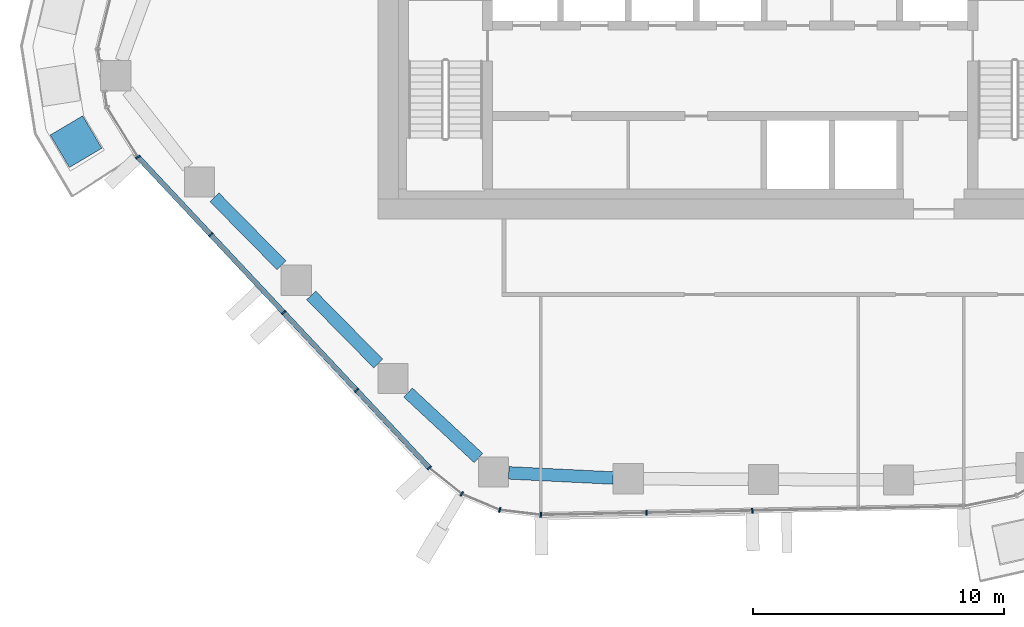
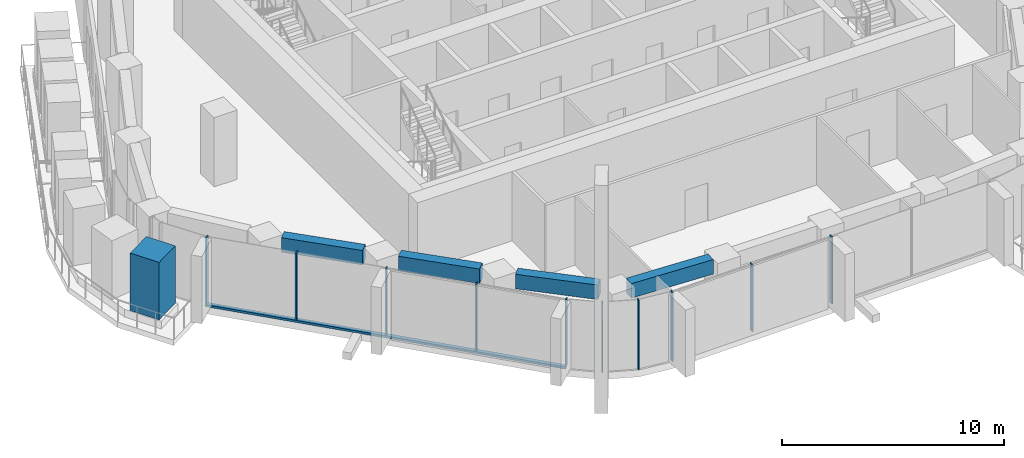
# One storey, part 2 of 18: 12 members, 4 beams, 4 elements without a shape of their own.
"""IFC4 building model written with IfcOpenShell, lengths in metres."""

from ifc_helpers import new_model, si_unit, direction, frame, origin, origin_2d, place, context, subcontext, project, spatial, rectangle, extrude, material, layer, layer_set, material_profile, profile_set, type_object, element, aggregate, save


model = new_model("IFC4")

# Units and contexts
model_context = context("Model", 3, precision=1e-05, world=origin(), true_north=direction((0.0, 1.0)))
body_context = subcontext(model_context, "Body", "Model", "MODEL_VIEW")
ifc_project = project(units=[si_unit("LENGTHUNIT", "METRE"), si_unit("AREAUNIT", "SQUARE_METRE"), si_unit("VOLUMEUNIT", "CUBIC_METRE"), si_unit("PLANEANGLEUNIT", "RADIAN"), si_unit("MASSUNIT", "GRAM", prefix="KILO")], contexts=[model_context])

# Site, building, storey
site_placement = place(None, origin())
site = spatial("IfcSite", under=ifc_project, at=site_placement, CompositionType="ELEMENT")
building_placement = place(site_placement, origin())
building = spatial("IfcBuilding", under=site, at=building_placement, Name="Dongbaek Canopy Tower", CompositionType="ELEMENT")
storey_placement = place(building_placement, frame((0.0, 0.0, 158.60009765625)))
storey = spatial("IfcBuildingStorey", under=building, at=storey_placement, Name="L34", CompositionType="ELEMENT", Elevation=158.60009765625)

# Curtain wall, member
ifc_material_1 = material(Name="Aluminium 6063-T6 pale anodised", Category="aluminium")
ifc_layer = layer(ifc_material_1, 0.199951171875)
ifc_layer_set = layer_set([ifc_layer], Name="CW-1 unitised tower curtain wall")
curtain_wall_type = type_object("IfcCurtainWallType", Name="CW-1 unitised tower curtain wall", PredefinedType="NOTDEFINED", material=ifc_layer_set)
curtain_wall_1_placement = place(storey_placement, origin())
curtain_wall_1 = element("IfcCurtainWall", 1, at=curtain_wall_1_placement, inside=storey, type_object=curtain_wall_type, Name="CW-1 curtain wall K3.1b", PredefinedType="NOTDEFINED")
ifc_material_2 = material(Name="Aluminium 6063-T6 pale anodised", Category="aluminium")
ifc_material_profile_1 = material_profile(ifc_material_2, rectangle(XDim=0.199951171875, YDim=0.06005859375, at=origin_2d()), Name="CW-1 mullion 60 x 200")
ifc_profile_set_1 = profile_set([ifc_material_profile_1], Name="Aluminium 6063-T6 pale anodised")
member_type_1 = type_object("IfcMemberType", Name="CW-1 mullion 60 x 200", PredefinedType="MULLION", material=ifc_profile_set_1)
member_1_placement = place(storey_placement, frame((-23.55322265625, -8.528076171875, 0.0), z_axis=(0.0, 0.0, 1.0), x_axis=(-0.850370444483, -0.526184480148, 0.0)))
member_1 = element("IfcMember", 2, at=member_1_placement, type_object=member_type_1, Name="CW-1 mullion K3.1b.3", PredefinedType="MULLION", context=body_context, shape_type="SweptSolid", body=[
    extrude(rectangle(XDim=0.199951171875, YDim=0.06005859375, at=origin_2d()), origin(), (0.0, 0.0, 1.0), 3.81982421875),
])
aggregate(curtain_wall_1, [member_1])

# Curtain wall, members
curtain_wall_2_placement = place(storey_placement, origin())
curtain_wall_2 = element("IfcCurtainWall", 3, at=curtain_wall_2_placement, inside=storey, type_object=curtain_wall_type, Name="CW-1 curtain wall F3.1", PredefinedType="NOTDEFINED")
member_2_placement = place(storey_placement, frame((-20.65966796875, -11.615478515625, 0.119873046875), z_axis=(0.0, 0.0, 1.0), x_axis=(-0.729648859062, -0.683822010811, 0.0)))
member_2 = element("IfcMember", 4, at=member_2_placement, type_object=member_type_1, Name="CW-1 mullion F3.1.2", PredefinedType="MULLION", context=body_context, shape_type="SweptSolid", body=[
    extrude(rectangle(XDim=0.199951171875, YDim=0.06005859375, at=origin_2d()), origin(), (0.0, 0.0, 1.0), 3.699951171875),
])
member_3_placement = place(storey_placement, frame((-17.759521484375, -14.7099609375, 0.119873046875), z_axis=(0.0, 0.0, 1.0), x_axis=(-0.729648859062, -0.683822010811, 0.0)))
member_3 = element("IfcMember", 5, at=member_3_placement, type_object=member_type_1, Name="CW-1 mullion F3.1.3", PredefinedType="MULLION", context=body_context, shape_type="SweptSolid", body=[
    extrude(rectangle(XDim=0.199951171875, YDim=0.06005859375, at=origin_2d()), origin(), (0.0, 0.0, 1.0), 3.699951171875),
])
member_4_placement = place(storey_placement, frame((-14.859375, -17.8046875, 0.119873046875), z_axis=(0.0, 0.0, 1.0), x_axis=(-0.729648859062, -0.683822010811, 0.0)))
member_4 = element("IfcMember", 6, at=member_4_placement, type_object=member_type_1, Name="CW-1 mullion F3.1.4", PredefinedType="MULLION", context=body_context, shape_type="SweptSolid", body=[
    extrude(rectangle(XDim=0.199951171875, YDim=0.06005859375, at=origin_2d()), origin(), (0.0, 0.0, 1.0), 3.699951171875),
])
member_5_placement = place(storey_placement, frame((-11.9638671875, -20.89404296875, 0.119873046875), z_axis=(0.0, 0.0, 1.0), x_axis=(-0.729648859062, -0.683822010811, 0.0)))
member_5 = element("IfcMember", 7, at=member_5_placement, type_object=member_type_1, Name="CW-1 mullion F3.1.5", PredefinedType="MULLION", context=body_context, shape_type="SweptSolid", body=[
    extrude(rectangle(XDim=0.199951171875, YDim=0.06005859375, at=origin_2d()), origin(), (0.0, 0.0, 1.0), 3.699951171875),
])

curtain_wall_3_placement = place(storey_placement, origin())
curtain_wall_3 = element("IfcCurtainWall", 8, at=curtain_wall_3_placement, inside=storey, type_object=curtain_wall_type, Name="CW-1 curtain wall K4.1", PredefinedType="NOTDEFINED")
member_6_placement = place(storey_placement, frame((-10.6787109375, -21.92919921875, 0.0), z_axis=(0.0, 0.0, 1.0), x_axis=(-0.512734516055, -0.858547212473, 0.0)))
member_6 = element("IfcMember", 9, at=member_6_placement, type_object=member_type_1, Name="CW-1 mullion K4.1.2", PredefinedType="MULLION", context=body_context, shape_type="SweptSolid", body=[
    extrude(rectangle(XDim=0.199951171875, YDim=0.06005859375, at=origin_2d()), origin(), (0.0, 0.0, 1.0), 3.81982421875),
])
member_7_placement = place(storey_placement, frame((-9.16455078125, -22.567138671875, 0.0), z_axis=(0.0, 0.0, 1.0), x_axis=(-0.256041855885, -0.96666569611, 0.0)))
member_7 = element("IfcMember", 10, at=member_7_placement, type_object=member_type_1, Name="CW-1 mullion K4.1.3", PredefinedType="MULLION", context=body_context, shape_type="SweptSolid", body=[
    extrude(rectangle(XDim=0.199951171875, YDim=0.06005859375, at=origin_2d()), origin(), (0.0, 0.0, 1.0), 3.81982421875),
])
member_8_placement = place(storey_placement, frame((-7.526123046875, -22.763427734375, 0.0), z_axis=(0.0, 0.0, 1.0), x_axis=(-0.11892247734, -0.992903542336, 0.0)))
member_8 = element("IfcMember", 11, at=member_8_placement, type_object=member_type_1, Name="CW-1 mullion K4.1.4", PredefinedType="MULLION", context=body_context, shape_type="SweptSolid", body=[
    extrude(rectangle(XDim=0.199951171875, YDim=0.06005859375, at=origin_2d()), origin(), (0.0, 0.0, 1.0), 3.81982421875),
])
aggregate(curtain_wall_3, [member_6, member_7, member_8])

curtain_wall_4_placement = place(storey_placement, origin())
curtain_wall_4 = element("IfcCurtainWall", 12, at=curtain_wall_4_placement, inside=storey, type_object=curtain_wall_type, Name="CW-1 curtain wall F4.1", PredefinedType="NOTDEFINED")
member_9_placement = place(storey_placement, frame((-3.326416015625, -22.67724609375, 0.119873046875), z_axis=(0.0, 0.0, 1.0), x_axis=(0.020514717954, -0.999789551029, 0.0)))
member_9 = element("IfcMember", 13, at=member_9_placement, type_object=member_type_1, Name="CW-1 mullion F4.1.2", PredefinedType="MULLION", context=body_context, shape_type="SweptSolid", body=[
    extrude(rectangle(XDim=0.199951171875, YDim=0.06005859375, at=origin_2d()), origin(), (0.0, 0.0, 1.0), 3.699951171875),
])
member_10_placement = place(storey_placement, frame((0.880126953125, -22.5908203125, 0.119873046875), z_axis=(0.0, 0.0, 1.0), x_axis=(0.020514717954, -0.999789551029, 0.0)))
member_10 = element("IfcMember", 14, at=member_10_placement, type_object=member_type_1, Name="CW-1 mullion F4.1.3", PredefinedType="MULLION", context=body_context, shape_type="SweptSolid", body=[
    extrude(rectangle(XDim=0.199951171875, YDim=0.06005859375, at=origin_2d()), origin(), (0.0, 0.0, 1.0), 3.699951171875),
])
aggregate(curtain_wall_4, [member_9, member_10])

# Member
ifc_material_3 = material(Name="Aluminium 6063-T6 pale anodised", Category="aluminium")
ifc_material_profile_2 = material_profile(ifc_material_3, rectangle(XDim=0.199951171875, YDim=0.1201171875, at=origin_2d()), Name="CW-1 transom 120 x 200")
ifc_profile_set_2 = profile_set([ifc_material_profile_2], Name="Aluminium 6063-T6 pale anodised")
member_type_2 = type_object("IfcMemberType", Name="CW-1 transom 120 x 200", PredefinedType="USERDEFINED", material=ifc_profile_set_2)
member_11_placement = place(storey_placement, frame((-23.55322265625, -8.528076171875, 0.059814453125), z_axis=(0.683823720614, -0.729647256642, 0.0), x_axis=(0.729647256642, 0.683823720614, 0.0)))
member_11 = element("IfcMember", 15, at=member_11_placement, type_object=member_type_2, Name="CW-1 transom F3.1.1", ObjectType="TRANSOM", PredefinedType="USERDEFINED", context=body_context, shape_type="SweptSolid", body=[
    extrude(rectangle(XDim=0.199951171875, YDim=0.1201171875, at=origin_2d()), origin(), (0.0, 0.0, 1.0), 16.94775390625),
])

aggregate(curtain_wall_2, [member_2, member_3, member_4, member_5, member_11])

# Beams
ifc_material_4 = material(Name="Concrete C70", Category="concrete")
ifc_material_profile_3 = material_profile(ifc_material_4, rectangle(XDim=0.5, YDim=0.800048828125, at=origin_2d()), Name="RC EDGE BEAM 500x800 C70")
ifc_profile_set_3 = profile_set([ifc_material_profile_3], Name="Concrete C70")
beam_type = type_object("IfcBeamType", Name="RC EDGE BEAM 500x800 C70", PredefinedType="BEAM", material=ifc_profile_set_3)
beam_1_placement = place(storey_placement, frame((-4.655029296875, -21.29443359375, 3.419921875), z_axis=(-0.998797460552, 0.04902685789, 0.0), x_axis=(-0.04902685789, -0.998797460552, 0.0)))
element("IfcBeam", 16, at=beam_1_placement, inside=storey, type_object=beam_type, Name="EDGEBEAM:L34:03", PredefinedType="BEAM", context=body_context, shape_type="SweptSolid", body=[
    extrude(rectangle(XDim=0.5, YDim=0.800048828125, at=origin_2d()), origin(), (0.0, 0.0, 1.0), 4.157958984375),
])
beam_2_placement = place(storey_placement, frame((-10.008056640625, -20.5029296875, 3.419921875), z_axis=(-0.732259249265, 0.681025984722, 0.0), x_axis=(-0.681025984722, -0.732259249265, 0.0)))
element("IfcBeam", 17, at=beam_2_placement, inside=storey, type_object=beam_type, Name="EDGEBEAM:L34:04", PredefinedType="BEAM", context=body_context, shape_type="SweptSolid", body=[
    extrude(rectangle(XDim=0.5, YDim=0.800048828125, at=origin_2d()), origin(), (0.0, 0.0, 1.0), 3.826416015625),
])
beam_3_placement = place(storey_placement, frame((-14.0009765625, -16.739013671875, 3.419921875), z_axis=(-0.701688575516, 0.71248378437, 0.0), x_axis=(-0.71248378437, -0.701688575516, 0.0)))
element("IfcBeam", 18, at=beam_3_placement, inside=storey, type_object=beam_type, Name="EDGEBEAM:L34:05", PredefinedType="BEAM", context=body_context, shape_type="SweptSolid", body=[
    extrude(rectangle(XDim=0.5, YDim=0.800048828125, at=origin_2d()), origin(), (0.0, 0.0, 1.0), 3.79931640625),
])
beam_4_placement = place(storey_placement, frame((-17.848876953125, -12.83203125, 3.419921875), z_axis=(-0.701721192392, 0.712451660218, 0.0), x_axis=(-0.712451660218, -0.701721192392, 0.0)))
element("IfcBeam", 19, at=beam_4_placement, inside=storey, type_object=beam_type, Name="EDGEBEAM:L34:06", PredefinedType="BEAM", context=body_context, shape_type="SweptSolid", body=[
    extrude(rectangle(XDim=0.5, YDim=0.800048828125, at=origin_2d()), origin(), (0.0, 0.0, 1.0), 3.799560546875),
])

# Member
ifc_material_5 = material(Name="Concrete C40/50 planter mass with planting", Category="concrete")
ifc_material_profile_4 = material_profile(ifc_material_5, rectangle(XDim=1.5, YDim=1.5, at=origin_2d()), Name="Terrace PLANTER shrub mass 1500 x 1500")
ifc_profile_set_4 = profile_set([ifc_material_profile_4], Name="Concrete C40/50 planter mass with planting")
member_type_3 = type_object("IfcMemberType", Name="Terrace PLANTER shrub mass 1500 x 1500", PredefinedType="USERDEFINED", material=ifc_profile_set_4)
member_12_placement = place(storey_placement, frame((-26.017578125, -7.915771484375, 0.419921875), z_axis=(0.0, 0.0, 1.0), x_axis=(-0.860204618571, -0.509949030972, 0.0)))
element("IfcMember", 20, at=member_12_placement, inside=storey, type_object=member_type_3, Name="Planter shrubs L34 3.5", ObjectType="PLANTER", PredefinedType="USERDEFINED", context=body_context, shape_type="SweptSolid", body=[
    extrude(rectangle(XDim=1.5, YDim=1.5, at=origin_2d()), origin(), (0.0, 0.0, 1.0), 3.169921875),
])

save(model, "model.ifc")
